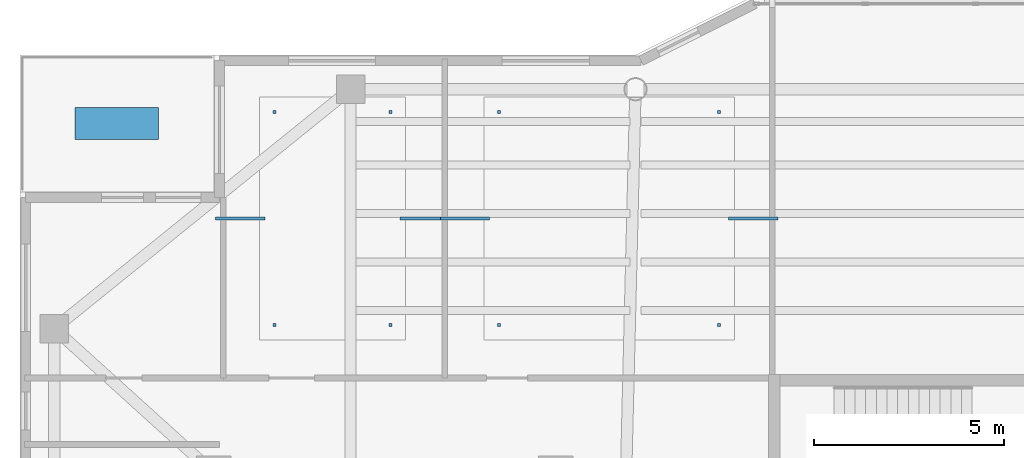
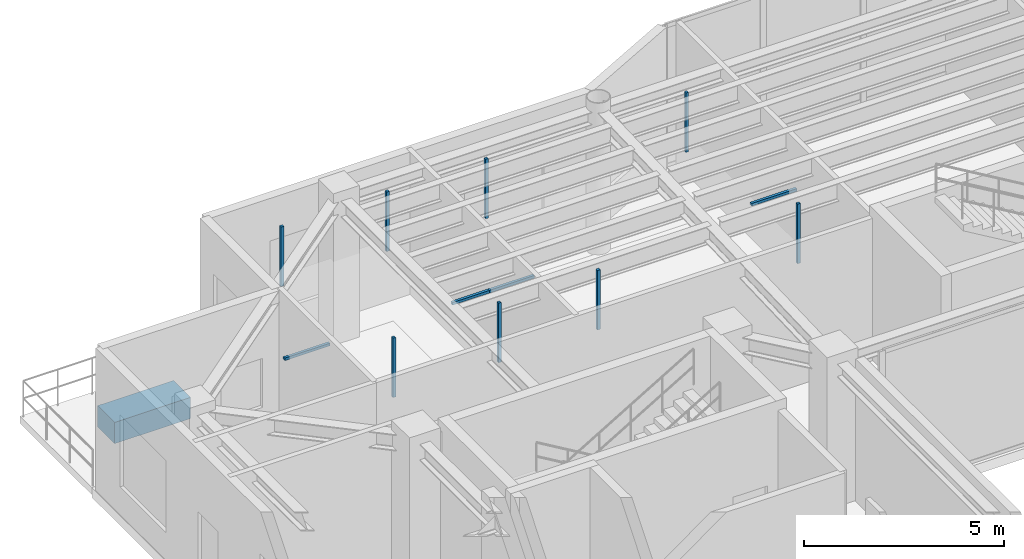
# One storey, part 17 of 23: 13 discrete accessories.
"""IFC4 building model written with IfcOpenShell, lengths in metres."""

from ifc_helpers import new_model, si_unit, direction, frame, origin, origin_2d, place, context, subcontext, project, spatial, rectangle, extrude, material, type_object, element, save


model = new_model("IFC4")

# Units and contexts
model_context = context("Model", 3, precision=1e-05, world=origin(), true_north=direction((0.0, 1.0)))
body_context = subcontext(model_context, "Body", "Model", "MODEL_VIEW")
ifc_project = project(units=[si_unit("LENGTHUNIT", "METRE"), si_unit("AREAUNIT", "SQUARE_METRE"), si_unit("VOLUMEUNIT", "CUBIC_METRE"), si_unit("PLANEANGLEUNIT", "RADIAN"), si_unit("MASSUNIT", "GRAM", prefix="KILO")], contexts=[model_context])

# Site, building, storey
site_placement = place(None, origin())
site = spatial("IfcSite", under=ifc_project, at=site_placement, CompositionType="ELEMENT")
building_placement = place(site_placement, origin())
building = spatial("IfcBuilding", under=site, at=building_placement, Name="Tarnavaz Court Tower", CompositionType="ELEMENT")
storey_placement = place(building_placement, frame((0.0, 0.0, 227.10009765625)))
storey = spatial("IfcBuildingStorey", under=building, at=storey_placement, Name="L62", CompositionType="ELEMENT", Elevation=227.10009765625)

# Discrete accessories
ifc_material_1 = material(Name="Anodised Aluminium 6063-T6", Category="aluminium")
discrete_accessory_type_1 = type_object("IfcDiscreteAccessoryType", Name="DA-BRKT-ALU", PredefinedType="BRACKET", material=ifc_material_1)
for number, where, z_axis, x_axis, name in (
    (1, (-17.0, 13.89990234375, 2.56005859375), (0.0, 0.0, 1.0), (1.0, 0.0, 0.0), "L62 Ceiling Suspension Hanger Bracket 01-1"),
    (2, (-13.947998046875, 13.89990234375, 2.56005859375), (0.0, 0.0, 1.0), (1.0, 0.0, 0.0), "L62 Ceiling Suspension Hanger Bracket 01-2"),
    (3, (-13.947998046875, 19.5, 2.56005859375), (0.0, 0.0, 1.0), (1.0, 0.0, 0.0), "L62 Ceiling Suspension Hanger Bracket 01-3"),
    (4, (-17.0, 19.5, 2.56005859375), (0.0, 0.0, 1.0), (1.0, 0.0, 0.0), "L62 Ceiling Suspension Hanger Bracket 01-4"),
):
    element("IfcDiscreteAccessory", number, at=place(storey_placement, frame(where, z_axis=z_axis, x_axis=x_axis)), inside=storey, type_object=discrete_accessory_type_1, Name=name, PredefinedType="BRACKET", context=body_context, shape_type="SweptSolid", body=[
        extrude(rectangle(XDim=0.080078125, YDim=0.080078125, at=origin_2d()), origin(), (0.0, 0.0, 1.0), 1.820068359375),
    ])
for number, where, z_axis, x_axis, name in (
    (5, (-17.89990234375, 16.699951171875, 2.5224609375), (0.0, 0.0, 1.0), (1.0, 0.0, 0.0), "L62 Ceiling Perimeter Wall-Tie Bracket 01-1"),
    (6, (-13.048095703125, 16.699951171875, 2.5224609375), (0.0, 0.0, 1.0), (1.0, 0.0, 0.0), "L62 Ceiling Perimeter Wall-Tie Bracket 01-2"),
):
    element("IfcDiscreteAccessory", number, at=place(storey_placement, frame(where, z_axis=z_axis, x_axis=x_axis)), inside=storey, type_object=discrete_accessory_type_1, Name=name, PredefinedType="BRACKET", context=body_context, shape_type="SweptSolid", body=[
        extrude(rectangle(XDim=1.300048828125, YDim=0.080078125, at=origin_2d()), origin(), (0.0, 0.0, 1.0), 0.080078125),
    ])
for number, where, z_axis, x_axis, name in (
    (7, (-11.087890625, 13.89990234375, 2.56005859375), (0.0, 0.0, 1.0), (1.0, 0.0, 0.0), "L62 Ceiling Suspension Hanger Bracket 02-1"),
    (8, (-5.300048828125, 13.89990234375, 2.56005859375), (0.0, 0.0, 1.0), (1.0, 0.0, 0.0), "L62 Ceiling Suspension Hanger Bracket 02-2"),
    (9, (-5.300048828125, 19.5, 2.56005859375), (0.0, 0.0, 1.0), (1.0, 0.0, 0.0), "L62 Ceiling Suspension Hanger Bracket 02-3"),
    (10, (-11.087890625, 19.5, 2.56005859375), (0.0, 0.0, 1.0), (1.0, 0.0, 0.0), "L62 Ceiling Suspension Hanger Bracket 02-4"),
):
    element("IfcDiscreteAccessory", number, at=place(storey_placement, frame(where, z_axis=z_axis, x_axis=x_axis)), inside=storey, type_object=discrete_accessory_type_1, Name=name, PredefinedType="BRACKET", context=body_context, shape_type="SweptSolid", body=[
        extrude(rectangle(XDim=0.080078125, YDim=0.080078125, at=origin_2d()), origin(), (0.0, 0.0, 1.0), 1.820068359375),
    ])
for number, where, z_axis, x_axis, name in (
    (11, (-11.988037109375, 16.699951171875, 2.5224609375), (0.0, 0.0, 1.0), (1.0, 0.0, 0.0), "L62 Ceiling Perimeter Wall-Tie Bracket 02-1"),
    (12, (-4.39990234375, 16.699951171875, 2.5224609375), (0.0, 0.0, 1.0), (1.0, 0.0, 0.0), "L62 Ceiling Perimeter Wall-Tie Bracket 02-2"),
):
    element("IfcDiscreteAccessory", number, at=place(storey_placement, frame(where, z_axis=z_axis, x_axis=x_axis)), inside=storey, type_object=discrete_accessory_type_1, Name=name, PredefinedType="BRACKET", context=body_context, shape_type="SweptSolid", body=[
        extrude(rectangle(XDim=1.300048828125, YDim=0.080078125, at=origin_2d()), origin(), (0.0, 0.0, 1.0), 0.080078125),
    ])
ifc_material_2 = material(Name="Terracotta Architectural Planter Trough", Category="masonry")
discrete_accessory_type_2 = type_object("IfcDiscreteAccessoryType", Name="DA-PLANTER-TC", PredefinedType="USERDEFINED", material=ifc_material_2)
discrete_accessory_placement = place(storey_placement, frame((-21.14990234375, 19.199951171875, 0.0), z_axis=(0.0, 0.0, 1.0), x_axis=(1.0, 0.0, 0.0)))
element("IfcDiscreteAccessory", 13, at=discrete_accessory_placement, inside=storey, type_object=discrete_accessory_type_2, Name="L62 Chahar-Bagh Terracotta Landscape Planter 2", ObjectType="PLANTER", PredefinedType="USERDEFINED", context=body_context, shape_type="SweptSolid", body=[
    extrude(rectangle(XDim=2.199951171875, YDim=0.85009765625, at=origin_2d()), origin(), (0.0, 0.0, 1.0), 0.64990234375),
])

save(model, "model.ifc")
